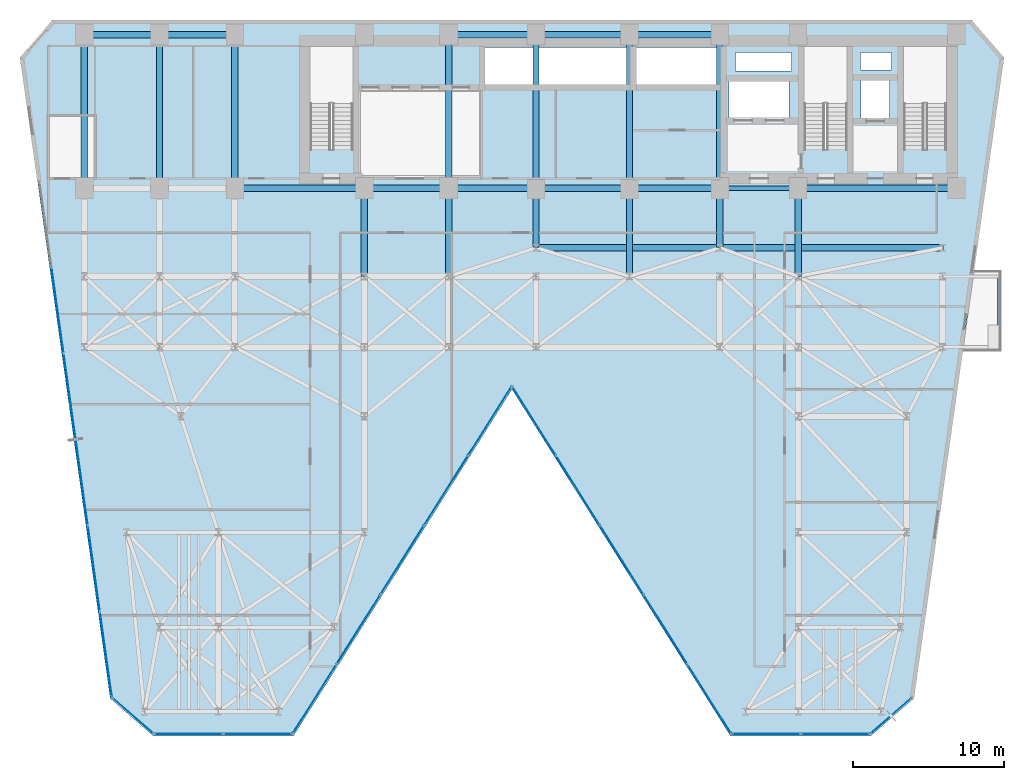
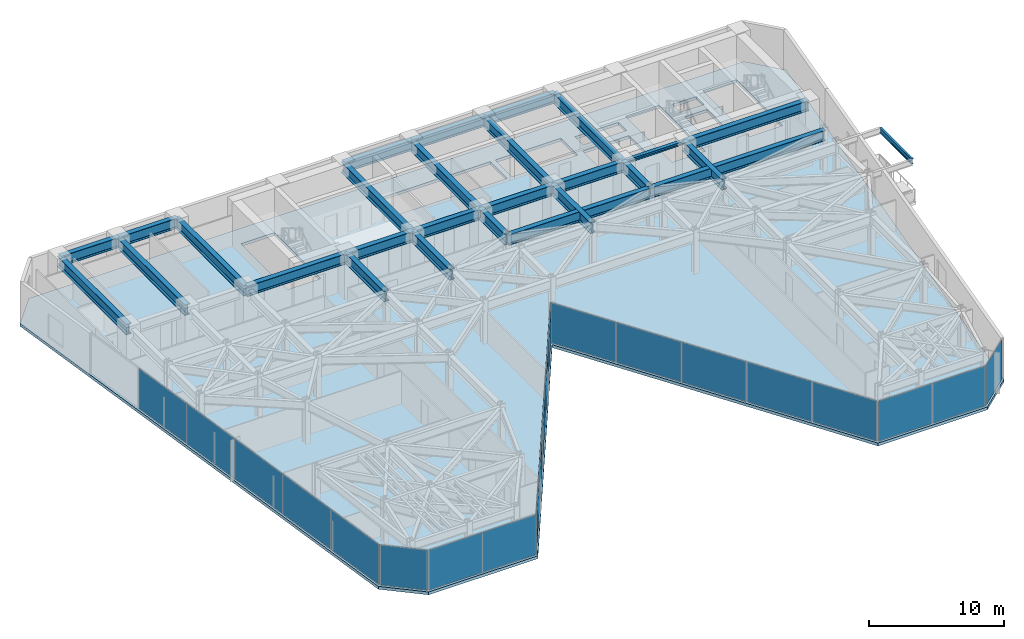
# One storey, part 18 of 25: 28 beams, 21 plates, 1 slab, 7 elements without a shape of their own.
"""IFC4 building model written with IfcOpenShell, lengths in metres."""

import ifcopenshell
import ifcopenshell.guid

model = None  # the IFC model being written
_history = None  # IfcOwnerHistory: only IFC2X3 demands one
_inside = {}  # id of a spatial element -> (the spatial element, [elements in it])
_under = {}  # id of a project, library or spatial element -> (it, [spatial elements below it])
_declared = {}  # id of a project -> (the project, [libraries it declares])
_typed = {}  # id of a type object -> (the type object, [elements of that type])
_made_of = {}  # id of a material, layer set ... -> (it, [elements and type objects made of it])


def new_model(schema):
    """Start an empty IFC model of exactly this schema.

    Asked for "IFC4X3", IfcOpenShell would pick the latest addendum, in which some entities
    have other attributes; the version numbers below select the first issue.
    IFC2X3 requires an IfcOwnerHistory on every rooted entity: one is made here for all.
    """
    global model, _history
    if schema == "IFC4X3":
        model = ifcopenshell.file(schema_version=(4, 3, 0, 0))
    else:
        model = ifcopenshell.file(schema=schema)
    _inside.clear()
    _under.clear()
    _declared.clear()
    _typed.clear()
    _made_of.clear()
    _history = None
    if model.schema == "IFC2X3":
        org = make("IfcOrganization", Name="unknown")
        user = make(
            "IfcPersonAndOrganization",
            ThePerson=make("IfcPerson", FamilyName="unknown"),
            TheOrganization=org,
        )
        app = make(
            "IfcApplication",
            ApplicationDeveloper=org,
            Version="unknown",
            ApplicationFullName="unknown",
            ApplicationIdentifier="unknown",
        )
        _history = make(
            "IfcOwnerHistory",
            OwningUser=user,
            OwningApplication=app,
            ChangeAction="ADDED",
            CreationDate=0,
        )
    return model


def make(cls, **values):
    """One entity of the class cls with the attributes given. An attribute that is None is left unset."""
    return model.create_entity(
        cls, **{name: value for name, value in values.items() if value is not None}
    )


def rooted(cls, **values):
    """An entity with a GlobalId (a new one), such as an element, a storey or a relation."""
    return make(cls, GlobalId=ifcopenshell.guid.new(), OwnerHistory=_history, **values)


def si_unit(unit_type, name, prefix=None):
    """IfcSIUnit, for example si_unit("LENGTHUNIT", "METRE", prefix="MILLI")."""
    return make("IfcSIUnit", UnitType=unit_type, Prefix=prefix, Name=name)


def assignment(units):
    """IfcUnitAssignment: the units of a project."""
    return None if units is None else make("IfcUnitAssignment", Units=units)


def point(xyz):
    """IfcCartesianPoint."""
    return None if xyz is None else make("IfcCartesianPoint", Coordinates=xyz)


def direction(xyz):
    """IfcDirection."""
    return None if xyz is None else make("IfcDirection", DirectionRatios=xyz)


def frame(location, z_axis=None, x_axis=None):
    """IfcAxis2Placement3D, a coordinate frame: its origin and axes. An axis left out is left unset."""
    return make(
        "IfcAxis2Placement3D",
        Location=point(location),
        Axis=direction(z_axis),
        RefDirection=direction(x_axis),
    )


def frame_2d(location, x_axis=None):
    """IfcAxis2Placement2D, a coordinate frame in the plane: its origin and x axis."""
    return make(
        "IfcAxis2Placement2D", Location=point(location), RefDirection=direction(x_axis)
    )


def origin():
    """The frame at (0, 0, 0) with its axes left unset."""
    return frame((0.0, 0.0, 0.0))


def origin_2d():
    """The frame at (0, 0) in the plane with its x axis left unset."""
    return frame_2d((0.0, 0.0))


def place(relative_to, where):
    """IfcLocalPlacement: puts the frame where relative to a parent placement (None: the world)."""
    return make(
        "IfcLocalPlacement", PlacementRelTo=relative_to, RelativePlacement=where
    )


def context(
    kind, dimensions, precision=None, world=None, true_north=None, identifier=None
):
    """IfcGeometricRepresentationContext, for example the 3D "Model" context."""
    return make(
        "IfcGeometricRepresentationContext",
        ContextIdentifier=identifier,
        ContextType=kind,
        CoordinateSpaceDimension=dimensions,
        Precision=precision,
        WorldCoordinateSystem=world,
        TrueNorth=true_north,
    )


def subcontext(parent, identifier, kind, view, scale=None):
    """IfcGeometricRepresentationSubContext, for example "Body" below "Model"."""
    return make(
        "IfcGeometricRepresentationSubContext",
        ContextIdentifier=identifier,
        ContextType=kind,
        ParentContext=parent,
        TargetScale=scale,
        TargetView=view,
    )


def project(units=None, contexts=None):
    """IfcProject with its units and contexts."""
    return rooted(
        "IfcProject",
        Name="project",
        RepresentationContexts=contexts,
        UnitsInContext=assignment(units),
    )


def spatial(cls, under=None, at=None, **own):
    """A site, building, storey or space (cls), placed at a placement, below another one or the project."""
    s = rooted(cls, ObjectPlacement=at, **own)
    if under is not None:
        _under.setdefault(under.id(), (under, []))[1].append(s)
    return s


def polyline(points):
    """IfcPolyline through the points."""
    return make("IfcPolyline", Points=[point(p) for p in points])


def profile(cls, at=None, kind="AREA", **sizes):
    """A parametric profile (cls). Its sizes go by their IFC names, for example OverallWidth=200.0."""
    return make(cls, ProfileType=kind, Position=at, **sizes)


def rectangle(**sizes):
    """IfcRectangleProfileDef."""
    return profile("IfcRectangleProfileDef", **sizes)


def i_section(**sizes):
    """IfcIShapeProfileDef."""
    return profile("IfcIShapeProfileDef", **sizes)


def outline(outer, holes=None, kind="AREA"):
    """IfcArbitraryClosedProfileDef: a profile drawn as a closed curve; with holes, ...WithVoids."""
    if holes is None:
        return make("IfcArbitraryClosedProfileDef", ProfileType=kind, OuterCurve=outer)
    return make(
        "IfcArbitraryProfileDefWithVoids",
        ProfileType=kind,
        OuterCurve=outer,
        InnerCurves=holes,
    )


def extrude(swept, where, along, depth):
    """IfcExtrudedAreaSolid: the profile swept, set in the frame where, extruded along a direction by depth."""
    return make(
        "IfcExtrudedAreaSolid",
        SweptArea=swept,
        Position=where,
        ExtrudedDirection=direction(along),
        Depth=depth,
    )


def shape(context_of_items, identifier, shape_type, items):
    """IfcShapeRepresentation: the items that make up one representation, for example the "Body"."""
    return make(
        "IfcShapeRepresentation",
        ContextOfItems=context_of_items,
        RepresentationIdentifier=identifier,
        RepresentationType=shape_type,
        Items=items,
    )


def material(Name=None, Category=None):
    """IfcMaterial."""
    return make("IfcMaterial", Name=Name, Category=Category)


def layer(
    of_material, thickness, ventilated=None, Name=None, Category=None, Priority=None
):
    """IfcMaterialLayer: one layer of a wall or slab, of a material (None: an air gap)."""
    return make(
        "IfcMaterialLayer",
        Material=of_material,
        LayerThickness=thickness,
        IsVentilated=ventilated,
        Name=Name,
        Category=Category,
        Priority=Priority,
    )


def layer_set(layers, Name=None):
    """IfcMaterialLayerSet."""
    return make("IfcMaterialLayerSet", MaterialLayers=layers, LayerSetName=Name)


def material_profile(
    of_material, cross_section, Name=None, Category=None, Priority=None
):
    """IfcMaterialProfile: a cross section and its material."""
    return make(
        "IfcMaterialProfile",
        Name=Name,
        Material=of_material,
        Profile=cross_section,
        Priority=Priority,
        Category=Category,
    )


def profile_set(profiles, Name=None, composite=None):
    """IfcMaterialProfileSet."""
    return make(
        "IfcMaterialProfileSet",
        Name=Name,
        MaterialProfiles=profiles,
        CompositeProfile=composite,
    )


def made_of(thing, what):
    """Note that an element or type object is made of a material, layer set ...; save() writes the relation."""
    if what is not None:
        _made_of.setdefault(what.id(), (what, []))[1].append(thing)
    return thing


def type_object(cls, material=None, **own):
    """A type object (cls), such as IfcWallType, which elements share."""
    return made_of(rooted(cls, **own), material)


def element(
    cls,
    number,
    at=None,
    inside=None,
    cuts=None,
    type_object=None,
    material=None,
    context=None,
    identifier="Body",
    shape_type=None,
    held_by="IfcProductDefinitionShape",
    body=None,
    shapes=None,
    **own,
):
    """One element of the class cls, such as IfcWall. Its Tag is "e" and its number.

    at: its placement. inside: the storey or other place that contains it. cuts: it is an
    opening in that element (IfcRelVoidsElement). A single representation is given by context,
    identifier, shape_type and body (its items); several are given by shapes. held_by: the class
    of the entity that holds the representations. save() writes the other relations.
    """
    e = rooted(cls, Tag="e%d" % number, ObjectPlacement=at, **own)
    if body is not None:
        shapes = [shape(context, identifier, shape_type, body)]
    if shapes is not None:
        e.Representation = make(held_by, Representations=shapes)
    if inside is not None:
        _inside.setdefault(inside.id(), (inside, []))[1].append(e)
    if cuts is not None:
        rooted(
            "IfcRelVoidsElement", RelatingBuildingElement=cuts, RelatedOpeningElement=e
        )
    if type_object is not None:
        _typed.setdefault(type_object.id(), (type_object, []))[1].append(e)
    return made_of(e, material)


def aggregate(whole, parts):
    """IfcRelAggregates: a whole, such as a stair, and the parts it consists of."""
    return rooted("IfcRelAggregates", RelatingObject=whole, RelatedObjects=parts)


def save(model, path):
    """Write the relations noted so far, then the file.

    IfcRelAggregates (storeys below a building ...), IfcRelContainedInSpatialStructure (elements
    in a storey), IfcRelDefinesByType, IfcRelAssociatesMaterial and IfcRelDeclares: one each for
    every whole, place, type object, material and project.
    """
    for whole, parts in _under.values():
        aggregate(whole, parts)
    for where, things in _inside.values():
        rooted(
            "IfcRelContainedInSpatialStructure",
            RelatedElements=things,
            RelatingStructure=where,
        )
    for kind, things in _typed.values():
        rooted("IfcRelDefinesByType", RelatedObjects=things, RelatingType=kind)
    for what, things in _made_of.values():
        rooted("IfcRelAssociatesMaterial", RelatedObjects=things, RelatingMaterial=what)
    for by, libraries in _declared.values():
        rooted("IfcRelDeclares", RelatingContext=by, RelatedDefinitions=libraries)
    model.write(path)


model = new_model("IFC4")

# Units and contexts
model_context = context("Model", 3, precision=1e-05, world=origin(), true_north=direction((0.0, 1.0)))
body_context = subcontext(model_context, "Body", "Model", "MODEL_VIEW")
ifc_project = project(units=[si_unit("LENGTHUNIT", "METRE"), si_unit("AREAUNIT", "SQUARE_METRE"), si_unit("VOLUMEUNIT", "CUBIC_METRE"), si_unit("PLANEANGLEUNIT", "RADIAN"), si_unit("MASSUNIT", "GRAM", prefix="KILO")], contexts=[model_context])

# Site, building, storey
site_placement = place(None, origin())
site = spatial("IfcSite", under=ifc_project, at=site_placement, CompositionType="ELEMENT")
building_placement = place(site_placement, origin())
building = spatial("IfcBuilding", under=site, at=building_placement, Name="Kravanh Interchange Tower", CompositionType="ELEMENT")
storey_placement = place(building_placement, frame((0.0, 0.0, 65.5)))
storey = spatial("IfcBuildingStorey", under=building, at=storey_placement, Name="L15", CompositionType="ELEMENT", Elevation=65.5)

# Beams
ifc_material_1 = material(Name="Structural Steel S355", Category="steel")
ifc_material_profile_1 = material_profile(ifc_material_1, i_section(OverallWidth=0.41796875, OverallDepth=0.927001953125, WebThickness=0.019287109375, FlangeThickness=0.031982421875, FilletRadius=0.028076171875, at=origin_2d()), Name="W36X231")
ifc_profile_set_1 = profile_set([ifc_material_profile_1], Name="Structural Steel S355")
beam_type_1 = type_object("IfcBeamType", Name="Floor Beam W36X231 Structural Steel S355", PredefinedType="BEAM", material=ifc_profile_set_1)
beam_1_placement = place(storey_placement, frame((66.5, 37.35009765625, 3.276611328125), z_axis=(-1.0, 0.0, 0.0), x_axis=(0.0, -1.0, 0.0)))
element("IfcBeam", 1, at=beam_1_placement, inside=storey, type_object=beam_type_1, Name="L15 Primary Floor Girder 5", PredefinedType="BEAM", context=body_context, shape_type="SweptSolid", body=[
    extrude(i_section(OverallWidth=0.41796875, OverallDepth=0.927001953125, WebThickness=0.019287109375, FlangeThickness=0.031982421875, FilletRadius=0.028076171875, at=origin_2d()), origin(), (0.0, 0.0, 1.0), 10.5),
])
beam_2_placement = place(storey_placement, frame((56.0, 37.35009765625, 3.276611328125), z_axis=(0.0, -1.0, 0.0), x_axis=(1.0, 0.0, 0.0)))
element("IfcBeam", 2, at=beam_2_placement, inside=storey, type_object=beam_type_1, Name="L15 Primary Floor Girder 7", PredefinedType="BEAM", context=body_context, shape_type="SweptSolid", body=[
    extrude(i_section(OverallWidth=0.41796875, OverallDepth=0.927001953125, WebThickness=0.019287109375, FlangeThickness=0.031982421875, FilletRadius=0.028076171875, at=origin_2d()), origin(), (0.0, 0.0, 1.0), 5.85009765625),
])
beam_3_placement = place(storey_placement, frame((50.800048828125, 47.550048828125, 3.276611328125), z_axis=(-1.0, 0.0, 0.0), x_axis=(0.0, -1.0, 0.0)))
element("IfcBeam", 3, at=beam_3_placement, inside=storey, type_object=beam_type_1, Name="L15 Primary Floor Girder 8", PredefinedType="BEAM", context=body_context, shape_type="SweptSolid", body=[
    extrude(i_section(OverallWidth=0.41796875, OverallDepth=0.927001953125, WebThickness=0.019287109375, FlangeThickness=0.031982421875, FilletRadius=0.028076171875, at=origin_2d()), origin(), (0.0, 0.0, 1.0), 6.0),
])
beam_4_placement = place(storey_placement, frame((50.800048828125, 47.550048828125, 3.276611328125), z_axis=(0.0, -1.0, 0.0), x_axis=(1.0, 0.0, 0.0)))
element("IfcBeam", 4, at=beam_4_placement, inside=storey, type_object=beam_type_1, Name="L15 Primary Floor Girder 9", PredefinedType="BEAM", context=body_context, shape_type="SweptSolid", body=[
    extrude(i_section(OverallWidth=0.41796875, OverallDepth=0.927001953125, WebThickness=0.019287109375, FlangeThickness=0.031982421875, FilletRadius=0.028076171875, at=origin_2d()), origin(), (0.0, 0.0, 1.0), 10.199951171875),
])
beam_5_placement = place(storey_placement, frame((50.800048828125, 37.35009765625, 3.276611328125), z_axis=(0.0, -1.0, 0.0), x_axis=(1.0, 0.0, 0.0)))
element("IfcBeam", 5, at=beam_5_placement, inside=storey, type_object=beam_type_1, Name="L15 Primary Floor Girder 10", PredefinedType="BEAM", context=body_context, shape_type="SweptSolid", body=[
    extrude(i_section(OverallWidth=0.41796875, OverallDepth=0.927001953125, WebThickness=0.019287109375, FlangeThickness=0.031982421875, FilletRadius=0.028076171875, at=origin_2d()), origin(), (0.0, 0.0, 1.0), 3.9501953125),
])
beam_6_placement = place(storey_placement, frame((50.800048828125, 37.35009765625, 3.276611328125), z_axis=(-1.0, 0.0, 0.0), x_axis=(0.0, -1.0, 0.0)))
element("IfcBeam", 6, at=beam_6_placement, inside=storey, type_object=beam_type_1, Name="L15 Primary Floor Girder 11", PredefinedType="BEAM", context=body_context, shape_type="SweptSolid", body=[
    extrude(i_section(OverallWidth=0.41796875, OverallDepth=0.927001953125, WebThickness=0.019287109375, FlangeThickness=0.031982421875, FilletRadius=0.028076171875, at=origin_2d()), origin(), (0.0, 0.0, 1.0), 6.0),
])
beam_7_placement = place(storey_placement, frame((44.800048828125, 37.35009765625, 3.276611328125), z_axis=(0.0, -1.0, 0.0), x_axis=(1.0, 0.0, 0.0)))
element("IfcBeam", 7, at=beam_7_placement, inside=storey, type_object=beam_type_1, Name="L15 Primary Floor Girder 12", PredefinedType="BEAM", context=body_context, shape_type="SweptSolid", body=[
    extrude(i_section(OverallWidth=0.41796875, OverallDepth=0.927001953125, WebThickness=0.019287109375, FlangeThickness=0.031982421875, FilletRadius=0.028076171875, at=origin_2d()), origin(), (0.0, 0.0, 1.0), 5.85009765625),
])
beam_8_placement = place(storey_placement, frame((44.800048828125, 37.35009765625, 3.276611328125), z_axis=(-1.0, 0.0, 0.0), x_axis=(0.0, -1.0, 0.0)))
element("IfcBeam", 8, at=beam_8_placement, inside=storey, type_object=beam_type_1, Name="L15 Primary Floor Girder 13", PredefinedType="BEAM", context=body_context, shape_type="SweptSolid", body=[
    extrude(i_section(OverallWidth=0.41796875, OverallDepth=0.927001953125, WebThickness=0.019287109375, FlangeThickness=0.031982421875, FilletRadius=0.028076171875, at=origin_2d()), origin(), (0.0, 0.0, 1.0), 6.199951171875),
])
beam_9_placement = place(storey_placement, frame((44.800048828125, 37.35009765625, 3.276611328125), z_axis=(0.0, 1.0, 0.0), x_axis=(-1.0, 0.0, 0.0)))
element("IfcBeam", 9, at=beam_9_placement, inside=storey, type_object=beam_type_1, Name="L15 Primary Floor Girder 14", PredefinedType="BEAM", context=body_context, shape_type="SweptSolid", body=[
    extrude(i_section(OverallWidth=0.41796875, OverallDepth=0.927001953125, WebThickness=0.019287109375, FlangeThickness=0.031982421875, FilletRadius=0.028076171875, at=origin_2d()), origin(), (0.0, 0.0, 1.0), 10.199951171875),
])
beam_10_placement = place(storey_placement, frame((44.800048828125, 47.550048828125, 3.276611328125), z_axis=(-1.0, 0.0, 0.0), x_axis=(0.0, -1.0, 0.0)))
element("IfcBeam", 10, at=beam_10_placement, inside=storey, type_object=beam_type_1, Name="L15 Primary Floor Girder 15", PredefinedType="BEAM", context=body_context, shape_type="SweptSolid", body=[
    extrude(i_section(OverallWidth=0.41796875, OverallDepth=0.927001953125, WebThickness=0.019287109375, FlangeThickness=0.031982421875, FilletRadius=0.028076171875, at=origin_2d()), origin(), (0.0, 0.0, 1.0), 6.199951171875),
])
beam_11_placement = place(storey_placement, frame((38.60009765625, 37.35009765625, 3.276611328125), z_axis=(0.0, -1.0, 0.0), x_axis=(1.0, 0.0, 0.0)))
element("IfcBeam", 11, at=beam_11_placement, inside=storey, type_object=beam_type_1, Name="L15 Primary Floor Girder 16", PredefinedType="BEAM", context=body_context, shape_type="SweptSolid", body=[
    extrude(i_section(OverallWidth=0.41796875, OverallDepth=0.927001953125, WebThickness=0.019287109375, FlangeThickness=0.031982421875, FilletRadius=0.028076171875, at=origin_2d()), origin(), (0.0, 0.0, 1.0), 3.9501953125),
])
beam_12_placement = place(storey_placement, frame((38.60009765625, 37.35009765625, 3.276611328125), z_axis=(-1.0, 0.0, 0.0), x_axis=(0.0, -1.0, 0.0)))
element("IfcBeam", 12, at=beam_12_placement, inside=storey, type_object=beam_type_1, Name="L15 Primary Floor Girder 17", PredefinedType="BEAM", context=body_context, shape_type="SweptSolid", body=[
    extrude(i_section(OverallWidth=0.41796875, OverallDepth=0.927001953125, WebThickness=0.019287109375, FlangeThickness=0.031982421875, FilletRadius=0.028076171875, at=origin_2d()), origin(), (0.0, 0.0, 1.0), 5.800048828125),
])
beam_13_placement = place(storey_placement, frame((38.60009765625, 37.35009765625, 3.276611328125), z_axis=(0.0, 1.0, 0.0), x_axis=(-1.0, 0.0, 0.0)))
element("IfcBeam", 13, at=beam_13_placement, inside=storey, type_object=beam_type_1, Name="L15 Primary Floor Girder 18", PredefinedType="BEAM", context=body_context, shape_type="SweptSolid", body=[
    extrude(i_section(OverallWidth=0.41796875, OverallDepth=0.927001953125, WebThickness=0.019287109375, FlangeThickness=0.031982421875, FilletRadius=0.028076171875, at=origin_2d()), origin(), (0.0, 0.0, 1.0), 10.199951171875),
])
beam_14_placement = place(storey_placement, frame((38.60009765625, 47.550048828125, 3.276611328125), z_axis=(-1.0, 0.0, 0.0), x_axis=(0.0, -1.0, 0.0)))
element("IfcBeam", 14, at=beam_14_placement, inside=storey, type_object=beam_type_1, Name="L15 Primary Floor Girder 19", PredefinedType="BEAM", context=body_context, shape_type="SweptSolid", body=[
    extrude(i_section(OverallWidth=0.41796875, OverallDepth=0.927001953125, WebThickness=0.019287109375, FlangeThickness=0.031982421875, FilletRadius=0.028076171875, at=origin_2d()), origin(), (0.0, 0.0, 1.0), 5.800048828125),
])
beam_15_placement = place(storey_placement, frame((32.800048828125, 37.35009765625, 3.276611328125), z_axis=(-1.0, 0.0, 0.0), x_axis=(0.0, -1.0, 0.0)))
element("IfcBeam", 15, at=beam_15_placement, inside=storey, type_object=beam_type_1, Name="L15 Primary Floor Girder 20", PredefinedType="BEAM", context=body_context, shape_type="SweptSolid", body=[
    extrude(i_section(OverallWidth=0.41796875, OverallDepth=0.927001953125, WebThickness=0.019287109375, FlangeThickness=0.031982421875, FilletRadius=0.028076171875, at=origin_2d()), origin(), (0.0, 0.0, 1.0), 5.60009765625),
])
beam_16_placement = place(storey_placement, frame((32.800048828125, 37.35009765625, 3.276611328125), z_axis=(0.0, -1.0, 0.0), x_axis=(1.0, 0.0, 0.0)))
element("IfcBeam", 16, at=beam_16_placement, inside=storey, type_object=beam_type_1, Name="L15 Primary Floor Girder 21", PredefinedType="BEAM", context=body_context, shape_type="SweptSolid", body=[
    extrude(i_section(OverallWidth=0.41796875, OverallDepth=0.927001953125, WebThickness=0.019287109375, FlangeThickness=0.031982421875, FilletRadius=0.028076171875, at=origin_2d()), origin(), (0.0, 0.0, 1.0), 5.85009765625),
])
beam_17_placement = place(storey_placement, frame((32.800048828125, 37.35009765625, 3.276611328125), z_axis=(0.0, 1.0, 0.0), x_axis=(-1.0, 0.0, 0.0)))
element("IfcBeam", 17, at=beam_17_placement, inside=storey, type_object=beam_type_1, Name="L15 Primary Floor Girder 22", PredefinedType="BEAM", context=body_context, shape_type="SweptSolid", body=[
    extrude(i_section(OverallWidth=0.41796875, OverallDepth=0.927001953125, WebThickness=0.019287109375, FlangeThickness=0.031982421875, FilletRadius=0.028076171875, at=origin_2d()), origin(), (0.0, 0.0, 1.0), 10.199951171875),
])
beam_18_placement = place(storey_placement, frame((27.199951171875, 37.35009765625, 3.276611328125), z_axis=(0.0, -1.0, 0.0), x_axis=(1.0, 0.0, 0.0)))
element("IfcBeam", 18, at=beam_18_placement, inside=storey, type_object=beam_type_1, Name="L15 Primary Floor Girder 24", PredefinedType="BEAM", context=body_context, shape_type="SweptSolid", body=[
    extrude(i_section(OverallWidth=0.41796875, OverallDepth=0.927001953125, WebThickness=0.019287109375, FlangeThickness=0.031982421875, FilletRadius=0.028076171875, at=origin_2d()), origin(), (0.0, 0.0, 1.0), 5.85009765625),
])
beam_19_placement = place(storey_placement, frame((27.199951171875, 37.35009765625, 3.276611328125), z_axis=(-1.0, 0.0, 0.0), x_axis=(0.0, -1.0, 0.0)))
element("IfcBeam", 19, at=beam_19_placement, inside=storey, type_object=beam_type_1, Name="L15 Primary Floor Girder 25", PredefinedType="BEAM", context=body_context, shape_type="SweptSolid", body=[
    extrude(i_section(OverallWidth=0.41796875, OverallDepth=0.927001953125, WebThickness=0.019287109375, FlangeThickness=0.031982421875, FilletRadius=0.028076171875, at=origin_2d()), origin(), (0.0, 0.0, 1.0), 8.599853515625),
])
beam_20_placement = place(storey_placement, frame((18.60009765625, 37.35009765625, 3.276611328125), z_axis=(0.0, 1.0, 0.0), x_axis=(-1.0, 0.0, 0.0)))
element("IfcBeam", 20, at=beam_20_placement, inside=storey, type_object=beam_type_1, Name="L15 Primary Floor Girder 30", PredefinedType="BEAM", context=body_context, shape_type="SweptSolid", body=[
    extrude(i_section(OverallWidth=0.41796875, OverallDepth=0.927001953125, WebThickness=0.019287109375, FlangeThickness=0.031982421875, FilletRadius=0.028076171875, at=origin_2d()), origin(), (0.0, 0.0, 1.0), 10.199951171875),
])
beam_21_placement = place(storey_placement, frame((18.60009765625, 47.550048828125, 3.276611328125), z_axis=(-1.0, 0.0, 0.0), x_axis=(0.0, -1.0, 0.0)))
element("IfcBeam", 21, at=beam_21_placement, inside=storey, type_object=beam_type_1, Name="L15 Primary Floor Girder 31", PredefinedType="BEAM", context=body_context, shape_type="SweptSolid", body=[
    extrude(i_section(OverallWidth=0.41796875, OverallDepth=0.927001953125, WebThickness=0.019287109375, FlangeThickness=0.031982421875, FilletRadius=0.028076171875, at=origin_2d()), origin(), (0.0, 0.0, 1.0), 5.0),
])
beam_22_placement = place(storey_placement, frame((13.60009765625, 37.35009765625, 3.276611328125), z_axis=(0.0, 1.0, 0.0), x_axis=(-1.0, 0.0, 0.0)))
element("IfcBeam", 22, at=beam_22_placement, inside=storey, type_object=beam_type_1, Name="L15 Primary Floor Girder 34", PredefinedType="BEAM", context=body_context, shape_type="SweptSolid", body=[
    extrude(i_section(OverallWidth=0.41796875, OverallDepth=0.927001953125, WebThickness=0.019287109375, FlangeThickness=0.031982421875, FilletRadius=0.028076171875, at=origin_2d()), origin(), (0.0, 0.0, 1.0), 10.199951171875),
])
beam_23_placement = place(storey_placement, frame((13.60009765625, 47.550048828125, 3.276611328125), z_axis=(-1.0, 0.0, 0.0), x_axis=(0.0, -1.0, 0.0)))
element("IfcBeam", 23, at=beam_23_placement, inside=storey, type_object=beam_type_1, Name="L15 Primary Floor Girder 35", PredefinedType="BEAM", context=body_context, shape_type="SweptSolid", body=[
    extrude(i_section(OverallWidth=0.41796875, OverallDepth=0.927001953125, WebThickness=0.019287109375, FlangeThickness=0.031982421875, FilletRadius=0.028076171875, at=origin_2d()), origin(), (0.0, 0.0, 1.0), 5.0),
])
beam_24_placement = place(storey_placement, frame((8.60009765625, 37.35009765625, 3.276611328125), z_axis=(0.0, 1.0, 0.0), x_axis=(-1.0, 0.0, 0.0)))
element("IfcBeam", 24, at=beam_24_placement, inside=storey, type_object=beam_type_1, Name="L15 Primary Floor Girder 37", PredefinedType="BEAM", context=body_context, shape_type="SweptSolid", body=[
    extrude(i_section(OverallWidth=0.41796875, OverallDepth=0.927001953125, WebThickness=0.019287109375, FlangeThickness=0.031982421875, FilletRadius=0.028076171875, at=origin_2d()), origin(), (0.0, 0.0, 1.0), 10.199951171875),
])
beam_25_placement = place(storey_placement, frame((38.60009765625, 33.39990234375, 3.276611328125), z_axis=(1.0, 0.0, 0.0), x_axis=(0.0, 1.0, 0.0)))
element("IfcBeam", 25, at=beam_25_placement, inside=storey, type_object=beam_type_1, Name="L15 Primary Floor Girder 145", PredefinedType="BEAM", context=body_context, shape_type="SweptSolid", body=[
    extrude(i_section(OverallWidth=0.41796875, OverallDepth=0.927001953125, WebThickness=0.019287109375, FlangeThickness=0.031982421875, FilletRadius=0.028076171875, at=origin_2d()), origin(), (0.0, 0.0, 1.0), 12.199951171875),
])
beam_26_placement = place(storey_placement, frame((50.800048828125, 33.39990234375, 3.276611328125), z_axis=(1.0, 0.0, 0.0), x_axis=(0.0, 1.0, 0.0)))
element("IfcBeam", 26, at=beam_26_placement, inside=storey, type_object=beam_type_1, Name="L15 Primary Floor Girder 146", PredefinedType="BEAM", context=body_context, shape_type="SweptSolid", body=[
    extrude(i_section(OverallWidth=0.41796875, OverallDepth=0.927001953125, WebThickness=0.019287109375, FlangeThickness=0.031982421875, FilletRadius=0.028076171875, at=origin_2d()), origin(), (0.0, 0.0, 1.0), 14.800048828125),
])
ifc_material_2 = material(Name="Structural Steel S355", Category="steel")
ifc_material_profile_2 = material_profile(ifc_material_2, i_section(OverallWidth=0.18994140625, OverallDepth=0.45703125, WebThickness=0.009033203125, FlangeThickness=0.014404296875, FilletRadius=0.01806640625, at=origin_2d()), Name="W18X50")
ifc_profile_set_2 = profile_set([ifc_material_profile_2], Name="Structural Steel S355")
beam_type_2 = type_object("IfcBeamType", Name="Floor Joist W18X50 Structural Steel S355", PredefinedType="JOIST", material=ifc_profile_set_2)
beam_27_placement = place(storey_placement, frame((69.330078125, 26.800048828125, 3.511474609375), z_axis=(0.0, 1.0, 0.0), x_axis=(-1.0, 0.0, 0.0)))
element("IfcBeam", 27, at=beam_27_placement, inside=storey, type_object=beam_type_2, Name="L15 Balcony Edge Tie Beam E", PredefinedType="JOIST", context=body_context, shape_type="SweptSolid", body=[
    extrude(i_section(OverallWidth=0.18994140625, OverallDepth=0.45703125, WebThickness=0.009033203125, FlangeThickness=0.014404296875, FilletRadius=0.01806640625, at=origin_2d()), origin(), (0.0, 0.0, 1.0), 4.699951171875),
])
ifc_material_3 = material(Name="Structural Steel S355", Category="steel")
ifc_material_profile_3 = material_profile(ifc_material_3, i_section(OverallWidth=0.304931640625, OverallDepth=0.306884765625, WebThickness=0.010009765625, FlangeThickness=0.015380859375, FilletRadius=0.014892578125, at=origin_2d()), Name="W12X65")
ifc_profile_set_3 = profile_set([ifc_material_profile_3], Name="Structural Steel S355")
beam_type_3 = type_object("IfcBeamType", Name="Floor Lintel W12X65 Structural Steel S355", PredefinedType="LINTEL", material=ifc_profile_set_3)
beam_28_placement = place(storey_placement, frame((50.800048828125, 37.35009765625, 3.58642578125), z_axis=(1.0, 0.0, 0.0), x_axis=(0.0, 1.0, 0.0)))
element("IfcBeam", 28, at=beam_28_placement, inside=storey, type_object=beam_type_3, Name="L15 Core Coupling Lintel 1", PredefinedType="LINTEL", context=body_context, shape_type="SweptSolid", body=[
    extrude(i_section(OverallWidth=0.304931640625, OverallDepth=0.306884765625, WebThickness=0.010009765625, FlangeThickness=0.015380859375, FilletRadius=0.014892578125, at=origin_2d()), origin(), (0.0, 0.0, 1.0), 5.199951171875),
])

# Slab
ifc_material_4 = material(Name="Concrete C50/60", Category="concrete")
ifc_layer_1 = layer(ifc_material_4, 0.260009765625)
ifc_layer_set_1 = layer_set([ifc_layer_1], Name="Composite Floor Slab Concrete C50/60 260mm")
slab_type = type_object("IfcSlabType", Name="Composite Floor Slab Concrete C50/60 260mm", PredefinedType="FLOOR", material=ifc_layer_set_1)
slab_placement = place(storey_placement, frame((0.0, 0.0, -0.260009765625)))
element("IfcSlab", 29, at=slab_placement, inside=storey, type_object=slab_type, Name="L15 Structural Floor Slab", PredefinedType="FLOOR", context=body_context, shape_type="SweptSolid", body=[
    extrude(outline(polyline([(10.327880859375, 3.4755859375), (13.17578125, 1.0), (22.5, 1.0), (37.0, 24.0), (51.5, 1.0), (60.82421875, 1.0), (63.672119140625, 3.4755859375), (69.652099609375, 46.0244140625), (67.5, 48.5), (6.5, 48.5), (4.347900390625, 46.0244140625), (10.327880859375, 3.4755859375)]), holes=[polyline([(65.85009765625, 39.925048828125), (65.85009765625, 46.75), (63.0, 46.75), (63.0, 39.925048828125), (65.85009765625, 39.925048828125)]), polyline([(59.25, 39.925048828125), (59.25, 46.75), (56.39990234375, 46.75), (56.39990234375, 39.925048828125), (59.25, 39.925048828125)]), polyline([(26.449951171875, 39.925048828125), (26.449951171875, 46.75), (23.60009765625, 46.75), (23.60009765625, 39.925048828125), (26.449951171875, 39.925048828125)]), polyline([(35.179931640625, 44.219970703125), (44.840087890625, 44.219970703125), (44.840087890625, 46.699951171875), (35.179931640625, 46.699951171875), (35.179931640625, 44.219970703125)]), polyline([(45.239990234375, 44.219970703125), (50.840087890625, 44.219970703125), (50.840087890625, 46.699951171875), (45.239990234375, 46.699951171875), (45.239990234375, 44.219970703125)]), polyline([(51.419921875, 42.02001953125), (55.3798828125, 42.02001953125), (55.3798828125, 44.47998046875), (51.419921875, 44.47998046875), (51.419921875, 42.02001953125)]), polyline([(60.179931640625, 41.97998046875), (62.06005859375, 41.97998046875), (62.06005859375, 44.52001953125), (60.179931640625, 44.52001953125), (60.179931640625, 41.97998046875)]), polyline([(60.14990234375, 45.199951171875), (62.199951171875, 45.199951171875), (62.199951171875, 46.35009765625), (60.14990234375, 46.35009765625), (60.14990234375, 45.199951171875)]), polyline([(51.85009765625, 45.14990234375), (55.550048828125, 45.14990234375), (55.550048828125, 46.35009765625), (51.85009765625, 46.35009765625), (51.85009765625, 45.14990234375)])]), origin(), (0.0, 0.0, 1.0), 0.260009765625),
])

# Curtain wall, plates
ifc_material_5 = material(Name="Anodised Bronze Aluminium", Category="aluminium")
ifc_layer_2 = layer(ifc_material_5, 0.179931640625)
ifc_layer_set_2 = layer_set([ifc_layer_2], Name="Unitised Curtain Wall System CW-Z1 Lower Office")
curtain_wall_type = type_object("IfcCurtainWallType", Name="Unitised Curtain Wall System CW-Z1 Lower Office", PredefinedType="NOTDEFINED", material=ifc_layer_set_2)
curtain_wall_1_placement = place(storey_placement, origin())
curtain_wall_1 = element("IfcCurtainWall", 30, at=curtain_wall_1_placement, inside=storey, type_object=curtain_wall_type, Name="L15 Unitised Curtain Wall CW-L15-01", PredefinedType="NOTDEFINED")
ifc_material_6 = material(Name="Low-E Laminated Architectural Glass", Category="glass")
ifc_layer_3 = layer(ifc_material_6, 0.028076171875)
ifc_layer_set_3 = layer_set([ifc_layer_3], Name="Solar-Control Double Glazing 28mm")
plate_type = type_object("IfcPlateType", Name="Solar-Control Double Glazing 28mm", PredefinedType="CURTAIN_PANEL", material=ifc_layer_set_3)
plate_1_placement = place(storey_placement, frame((10.03662109375, 6.409423828125, 0.06005859375), z_axis=(0.0, 0.0, 1.0), x_axis=(-0.139176538065, 0.990267585682, 0.0)))
plate_1 = element("IfcPlate", 31, at=plate_1_placement, type_object=plate_type, Name="CW-Z1 panel 1.1", PredefinedType="CURTAIN_PANEL", context=body_context, shape_type="SweptSolid", body=[
    extrude(rectangle(XDim=5.66162109375, YDim=0.028076171875, at=origin_2d()), origin(), (0.0, 0.0, 1.0), 3.6201171875),
])
plate_2_placement = place(storey_placement, frame((9.236572265625, 12.1025390625, 0.06005859375), z_axis=(0.0, 0.0, 1.0), x_axis=(-0.139176538065, 0.990267585682, 0.0)))
plate_2 = element("IfcPlate", 32, at=plate_2_placement, type_object=plate_type, Name="CW-Z1 panel 2.1", PredefinedType="CURTAIN_PANEL", context=body_context, shape_type="SweptSolid", body=[
    extrude(rectangle(XDim=5.69677734375, YDim=0.028076171875, at=origin_2d()), origin(), (0.0, 0.0, 1.0), 3.6201171875),
])
plate_3_placement = place(storey_placement, frame((8.433837890625, 17.813232421875, 0.06005859375), z_axis=(0.0, 0.0, 1.0), x_axis=(-0.139176538065, 0.990267585682, 0.0)))
plate_3 = element("IfcPlate", 33, at=plate_3_placement, type_object=plate_type, Name="CW-Z1 panel 3.1", PredefinedType="CURTAIN_PANEL", context=body_context, shape_type="SweptSolid", body=[
    extrude(rectangle(XDim=5.69677734375, YDim=0.028076171875, at=origin_2d()), origin(), (0.0, 0.0, 1.0), 3.6201171875),
])
plate_4_placement = place(storey_placement, frame((7.63134765625, 23.523681640625, 0.06005859375), z_axis=(0.0, 0.0, 1.0), x_axis=(-0.139176538065, 0.990267585682, 0.0)))
plate_4 = element("IfcPlate", 34, at=plate_4_placement, type_object=plate_type, Name="CW-Z1 panel 4.1", PredefinedType="CURTAIN_PANEL", context=body_context, shape_type="SweptSolid", body=[
    extrude(rectangle(XDim=5.69677734375, YDim=0.028076171875, at=origin_2d()), origin(), (0.0, 0.0, 1.0), 3.6201171875),
])
plate_5_placement = place(storey_placement, frame((6.828857421875, 29.234130859375, 0.06005859375), z_axis=(0.0, 0.0, 1.0), x_axis=(-0.139176538065, 0.990267585682, 0.0)))
plate_5 = element("IfcPlate", 35, at=plate_5_placement, type_object=plate_type, Name="CW-Z1 panel 5.1", PredefinedType="CURTAIN_PANEL", context=body_context, shape_type="SweptSolid", body=[
    extrude(rectangle(XDim=5.69677734375, YDim=0.028076171875, at=origin_2d()), origin(), (0.0, 0.0, 1.0), 3.6201171875),
])
aggregate(curtain_wall_1, [plate_1, plate_2, plate_3, plate_4, plate_5])

# Curtain wall, plate
curtain_wall_2_placement = place(storey_placement, origin())
curtain_wall_2 = element("IfcCurtainWall", 36, at=curtain_wall_2_placement, inside=storey, type_object=curtain_wall_type, Name="L15 Unitised Curtain Wall CW-L15-02", PredefinedType="NOTDEFINED")
plate_6_placement = place(storey_placement, frame((62.16943359375, 2.328369140625, 0.06005859375), z_axis=(0.0, 0.0, 1.0), x_axis=(-0.754708368999, -0.656060422341, 0.0)))
plate_6 = element("IfcPlate", 37, at=plate_6_placement, type_object=plate_type, Name="CW-Z1 panel 1.1", PredefinedType="CURTAIN_PANEL", context=body_context, shape_type="SweptSolid", body=[
    extrude(rectangle(XDim=3.543701171875, YDim=0.028076171875, at=origin_2d()), origin(), (0.0, 0.0, 1.0), 3.6201171875),
])
aggregate(curtain_wall_2, [plate_6])

# Curtain wall, plates
curtain_wall_3_placement = place(storey_placement, origin())
curtain_wall_3 = element("IfcCurtainWall", 38, at=curtain_wall_3_placement, inside=storey, type_object=curtain_wall_type, Name="L15 Unitised Curtain Wall CW-L15-03", PredefinedType="NOTDEFINED")
plate_7_placement = place(storey_placement, frame((58.45849609375, 1.1201171875, 0.06005859375), z_axis=(0.0, 0.0, 1.0), x_axis=(-1.0, 0.0, 0.0)))
plate_7 = element("IfcPlate", 39, at=plate_7_placement, type_object=plate_type, Name="CW-Z1 panel 1.1", PredefinedType="CURTAIN_PANEL", context=body_context, shape_type="SweptSolid", body=[
    extrude(rectangle(XDim=4.501708984375, YDim=0.028076171875, at=origin_2d()), origin(), (0.0, 0.0, 1.0), 3.6201171875),
])
plate_8_placement = place(storey_placement, frame((53.886962890625, 1.1201171875, 0.06005859375), z_axis=(0.0, 0.0, 1.0), x_axis=(-1.0, 0.0, 0.0)))
plate_8 = element("IfcPlate", 40, at=plate_8_placement, type_object=plate_type, Name="CW-Z1 panel 2.1", PredefinedType="CURTAIN_PANEL", context=body_context, shape_type="SweptSolid", body=[
    extrude(rectangle(XDim=4.501708984375, YDim=0.028076171875, at=origin_2d()), origin(), (0.0, 0.0, 1.0), 3.6201171875),
])
aggregate(curtain_wall_3, [plate_7, plate_8])

curtain_wall_4_placement = place(storey_placement, origin())
curtain_wall_4 = element("IfcCurtainWall", 41, at=curtain_wall_4_placement, inside=storey, type_object=curtain_wall_type, Name="L15 Unitised Curtain Wall CW-L15-04", PredefinedType="NOTDEFINED")
plate_9_placement = place(storey_placement, frame((50.100341796875, 3.4453125, 0.06005859375), z_axis=(0.0, 0.0, 1.0), x_axis=(-0.53330103728, 0.845925530786, 0.0)))
plate_9 = element("IfcPlate", 42, at=plate_9_placement, type_object=plate_type, Name="CW-Z1 panel 1.1", PredefinedType="CURTAIN_PANEL", context=body_context, shape_type="SweptSolid", body=[
    extrude(rectangle(XDim=5.357666015625, YDim=0.028076171875, at=origin_2d()), origin(), (0.0, 0.0, 1.0), 3.6201171875),
])
plate_10_placement = place(storey_placement, frame((47.1962890625, 8.051513671875, 0.06005859375), z_axis=(0.0, 0.0, 1.0), x_axis=(-0.53330103728, 0.845925530786, 0.0)))
plate_10 = element("IfcPlate", 43, at=plate_10_placement, type_object=plate_type, Name="CW-Z1 panel 2.1", PredefinedType="CURTAIN_PANEL", context=body_context, shape_type="SweptSolid", body=[
    extrude(rectangle(XDim=5.392578125, YDim=0.028076171875, at=origin_2d()), origin(), (0.0, 0.0, 1.0), 3.6201171875),
])
plate_11_placement = place(storey_placement, frame((44.283203125, 12.672607421875, 0.06005859375), z_axis=(0.0, 0.0, 1.0), x_axis=(-0.53330103728, 0.845925530786, 0.0)))
plate_11 = element("IfcPlate", 44, at=plate_11_placement, type_object=plate_type, Name="CW-Z1 panel 3.1", PredefinedType="CURTAIN_PANEL", context=body_context, shape_type="SweptSolid", body=[
    extrude(rectangle(XDim=5.392578125, YDim=0.028076171875, at=origin_2d()), origin(), (0.0, 0.0, 1.0), 3.6201171875),
])
plate_12_placement = place(storey_placement, frame((41.369873046875, 17.29345703125, 0.06005859375), z_axis=(0.0, 0.0, 1.0), x_axis=(-0.53330103728, 0.845925530786, 0.0)))
plate_12 = element("IfcPlate", 45, at=plate_12_placement, type_object=plate_type, Name="CW-Z1 panel 4.1", PredefinedType="CURTAIN_PANEL", context=body_context, shape_type="SweptSolid", body=[
    extrude(rectangle(XDim=5.392578125, YDim=0.028076171875, at=origin_2d()), origin(), (0.0, 0.0, 1.0), 3.6201171875),
])
plate_13_placement = place(storey_placement, frame((38.466064453125, 21.899658203125, 0.06005859375), z_axis=(0.0, 0.0, 1.0), x_axis=(-0.53330103728, 0.845925530786, 0.0)))
plate_13 = element("IfcPlate", 46, at=plate_13_placement, type_object=plate_type, Name="CW-Z1 panel 5.1", PredefinedType="CURTAIN_PANEL", context=body_context, shape_type="SweptSolid", body=[
    extrude(rectangle(XDim=5.357666015625, YDim=0.028076171875, at=origin_2d()), origin(), (0.0, 0.0, 1.0), 3.6201171875),
])
aggregate(curtain_wall_4, [plate_9, plate_10, plate_11, plate_12, plate_13])

curtain_wall_5_placement = place(storey_placement, origin())
curtain_wall_5 = element("IfcCurtainWall", 47, at=curtain_wall_5_placement, inside=storey, type_object=curtain_wall_type, Name="L15 Unitised Curtain Wall CW-L15-05", PredefinedType="NOTDEFINED")
plate_14_placement = place(storey_placement, frame((35.533935546875, 21.899658203125, 0.06005859375), z_axis=(0.0, 0.0, 1.0), x_axis=(-0.53330103728, -0.845925530786, 0.0)))
plate_14 = element("IfcPlate", 48, at=plate_14_placement, type_object=plate_type, Name="CW-Z1 panel 1.1", PredefinedType="CURTAIN_PANEL", context=body_context, shape_type="SweptSolid", body=[
    extrude(rectangle(XDim=5.357666015625, YDim=0.028076171875, at=origin_2d()), origin(), (0.0, 0.0, 1.0), 3.6201171875),
])
plate_15_placement = place(storey_placement, frame((32.630126953125, 17.29345703125, 0.06005859375), z_axis=(0.0, 0.0, 1.0), x_axis=(-0.53330103728, -0.845925530786, 0.0)))
plate_15 = element("IfcPlate", 49, at=plate_15_placement, type_object=plate_type, Name="CW-Z1 panel 2.1", PredefinedType="CURTAIN_PANEL", context=body_context, shape_type="SweptSolid", body=[
    extrude(rectangle(XDim=5.392578125, YDim=0.028076171875, at=origin_2d()), origin(), (0.0, 0.0, 1.0), 3.6201171875),
])
plate_16_placement = place(storey_placement, frame((29.716796875, 12.672607421875, 0.06005859375), z_axis=(0.0, 0.0, 1.0), x_axis=(-0.53330103728, -0.845925530786, 0.0)))
plate_16 = element("IfcPlate", 50, at=plate_16_placement, type_object=plate_type, Name="CW-Z1 panel 3.1", PredefinedType="CURTAIN_PANEL", context=body_context, shape_type="SweptSolid", body=[
    extrude(rectangle(XDim=5.392578125, YDim=0.028076171875, at=origin_2d()), origin(), (0.0, 0.0, 1.0), 3.6201171875),
])
plate_17_placement = place(storey_placement, frame((26.8037109375, 8.051513671875, 0.06005859375), z_axis=(0.0, 0.0, 1.0), x_axis=(-0.53330103728, -0.845925530786, 0.0)))
plate_17 = element("IfcPlate", 51, at=plate_17_placement, type_object=plate_type, Name="CW-Z1 panel 4.1", PredefinedType="CURTAIN_PANEL", context=body_context, shape_type="SweptSolid", body=[
    extrude(rectangle(XDim=5.392578125, YDim=0.028076171875, at=origin_2d()), origin(), (0.0, 0.0, 1.0), 3.6201171875),
])
plate_18_placement = place(storey_placement, frame((23.899658203125, 3.4453125, 0.06005859375), z_axis=(0.0, 0.0, 1.0), x_axis=(-0.53330103728, -0.845925530786, 0.0)))
plate_18 = element("IfcPlate", 52, at=plate_18_placement, type_object=plate_type, Name="CW-Z1 panel 5.1", PredefinedType="CURTAIN_PANEL", context=body_context, shape_type="SweptSolid", body=[
    extrude(rectangle(XDim=5.357666015625, YDim=0.028076171875, at=origin_2d()), origin(), (0.0, 0.0, 1.0), 3.6201171875),
])
aggregate(curtain_wall_5, [plate_14, plate_15, plate_16, plate_17, plate_18])

curtain_wall_6_placement = place(storey_placement, origin())
curtain_wall_6 = element("IfcCurtainWall", 53, at=curtain_wall_6_placement, inside=storey, type_object=curtain_wall_type, Name="L15 Unitised Curtain Wall CW-L15-06", PredefinedType="NOTDEFINED")
plate_19_placement = place(storey_placement, frame((20.113037109375, 1.1201171875, 0.06005859375), z_axis=(0.0, 0.0, 1.0), x_axis=(-1.0, 0.0, 0.0)))
plate_19 = element("IfcPlate", 54, at=plate_19_placement, type_object=plate_type, Name="CW-Z1 panel 1.1", PredefinedType="CURTAIN_PANEL", context=body_context, shape_type="SweptSolid", body=[
    extrude(rectangle(XDim=4.501708984375, YDim=0.028076171875, at=origin_2d()), origin(), (0.0, 0.0, 1.0), 3.6201171875),
])
plate_20_placement = place(storey_placement, frame((15.54150390625, 1.1201171875, 0.06005859375), z_axis=(0.0, 0.0, 1.0), x_axis=(-1.0, 0.0, 0.0)))
plate_20 = element("IfcPlate", 55, at=plate_20_placement, type_object=plate_type, Name="CW-Z1 panel 2.1", PredefinedType="CURTAIN_PANEL", context=body_context, shape_type="SweptSolid", body=[
    extrude(rectangle(XDim=4.501708984375, YDim=0.028076171875, at=origin_2d()), origin(), (0.0, 0.0, 1.0), 3.6201171875),
])
aggregate(curtain_wall_6, [plate_19, plate_20])

# Curtain wall, plate
curtain_wall_7_placement = place(storey_placement, origin())
curtain_wall_7 = element("IfcCurtainWall", 56, at=curtain_wall_7_placement, inside=storey, type_object=curtain_wall_type, Name="L15 Unitised Curtain Wall CW-L15-07", PredefinedType="NOTDEFINED")
plate_21_placement = place(storey_placement, frame((11.83056640625, 2.328369140625, 0.06005859375), z_axis=(0.0, 0.0, 1.0), x_axis=(-0.754708368999, 0.656060422341, 0.0)))
plate_21 = element("IfcPlate", 57, at=plate_21_placement, type_object=plate_type, Name="CW-Z1 panel 1.1", PredefinedType="CURTAIN_PANEL", context=body_context, shape_type="SweptSolid", body=[
    extrude(rectangle(XDim=3.543701171875, YDim=0.028076171875, at=origin_2d()), origin(), (0.0, 0.0, 1.0), 3.6201171875),
])
aggregate(curtain_wall_7, [plate_21])

save(model, "model.ifc")
